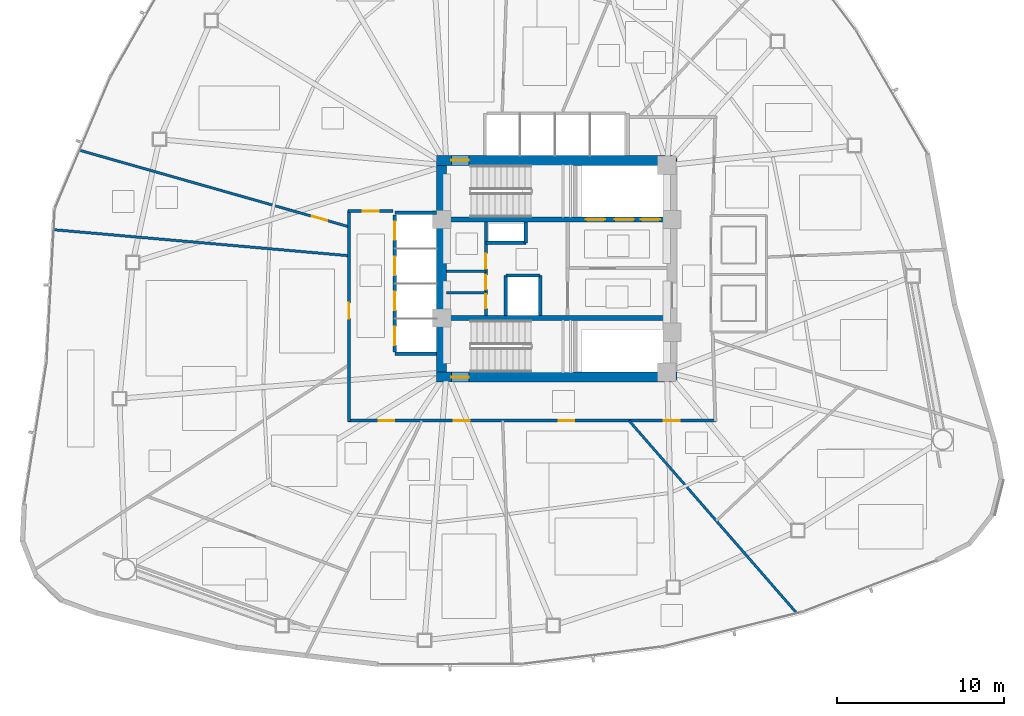
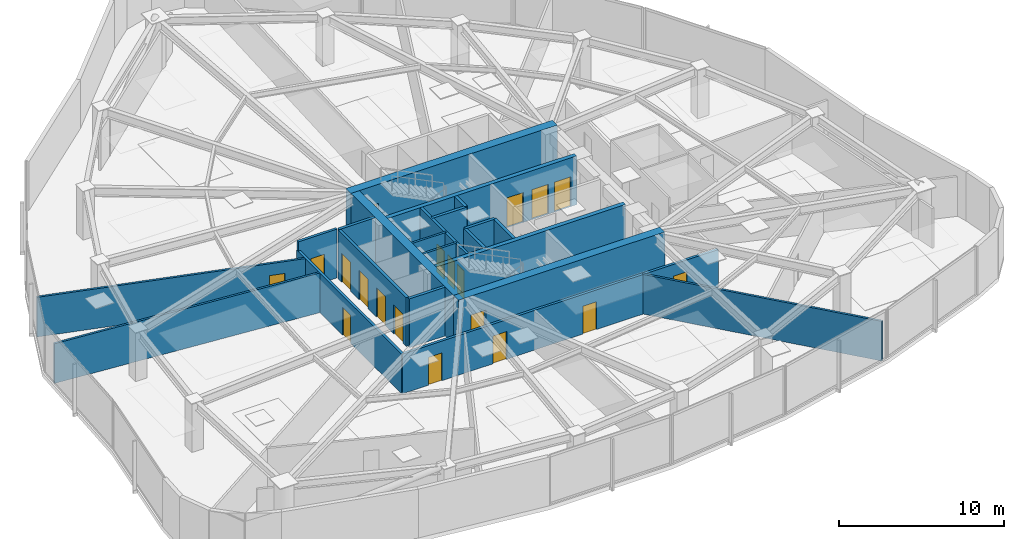
# One storey, part 11 of 17: 22 walls, 19 doors, 19 openings.
"""IFC4 building model written with IfcOpenShell, lengths in metres."""

from ifc_helpers import new_model, si_unit, direction, frame, frame_2d, origin, place, context, subcontext, project, spatial, rectangle, extrude, material, layer, layer_set, type_object, element, fill, save


model = new_model("IFC4")

# Units and contexts
model_context = context("Model", 3, precision=1e-05, world=origin(), true_north=direction((0.0, 1.0)))
body_context = subcontext(model_context, "Body", "Model", "MODEL_VIEW")
ifc_project = project(units=[si_unit("LENGTHUNIT", "METRE"), si_unit("AREAUNIT", "SQUARE_METRE"), si_unit("VOLUMEUNIT", "CUBIC_METRE"), si_unit("PLANEANGLEUNIT", "RADIAN"), si_unit("MASSUNIT", "GRAM", prefix="KILO")], contexts=[model_context])

# Site, building, storey
site_placement = place(None, origin())
site = spatial("IfcSite", under=ifc_project, at=site_placement, CompositionType="ELEMENT")
building_placement = place(site_placement, origin())
building = spatial("IfcBuilding", under=site, at=building_placement, Name="Tavelor Broadcast Tower", CompositionType="ELEMENT")
storey_placement = place(building_placement, frame((0.0, 0.0, 39.300048828125)))
storey = spatial("IfcBuildingStorey", under=building, at=storey_placement, Name="L08", CompositionType="ELEMENT", Elevation=39.300048828125)

# Wall, opening, door
ifc_material_1 = material(Name="Concrete C60/75", Category="concrete")
ifc_layer_1 = layer(ifc_material_1, 0.60009765625)
ifc_layer_set_1 = layer_set([ifc_layer_1], Name="Concrete C60/75")
wall_type_1 = type_object("IfcWallType", Name="Core Shear Wall 600 mm", PredefinedType="SHEAR", material=ifc_layer_set_1)
wall_1_placement = place(storey_placement, frame((42.800048828125, 51.5, 0.0), z_axis=(0.0, 0.0, 1.0), x_axis=(1.0, 0.0, 0.0)))
wall_1 = element("IfcWall", 1, at=wall_1_placement, inside=storey, type_object=wall_type_1, Name="L08 Central Core Shear Wall N", PredefinedType="SHEAR", context=body_context, shape_type="SweptSolid", body=[
    extrude(rectangle(XDim=14.39990234375, YDim=0.60009765625, at=frame_2d((7.199951171875, 0.0))), origin(), (0.0, 0.0, 1.0), 3.599853515625),
])
opening_1_placement = place(wall_1_placement, frame((0.8798828125, 0.0, 0.0)))
opening_1 = element("IfcOpeningElement", 2, at=opening_1_placement, cuts=wall_1, Name="Opening DR11", PredefinedType="OPENING", context=body_context, shape_type="SweptSolid", body=[
    extrude(rectangle(XDim=1.050048828125, YDim=2.199951171875, at=frame_2d((0.52490234375, 1.10009765625))), frame((0.0, 0.31005859375, 0.0), z_axis=(0.0, -1.0, 0.0), x_axis=(1.0, 0.0, 0.0)), (0.0, 0.0, 1.0), 0.6201171875),
])
ifc_material_2 = material(Name="Steel S355", Category="steel")
door_type_1 = type_object("IfcDoorType", Name="Stair Core Fire Escape Door 1050x2200", OperationType="NOTDEFINED", PredefinedType="DOOR", material=ifc_material_2)
door_1_placement = place(opening_1_placement, origin())
door_1 = element("IfcDoor", 3, at=door_1_placement, inside=storey, type_object=door_type_1, Name="L08 Stair ST1 Protected Exit Door", OperationType="SINGLE_SWING_LEFT", OverallHeight=2.199951171875, OverallWidth=1.050048828125, PredefinedType="DOOR", context=body_context, shape_type="SweptSolid", body=[
    extrude(rectangle(XDim=1.050048828125, YDim=2.199951171875, at=frame_2d((0.52490234375, 1.10009765625))), frame((0.0, 0.02490234375, 0.0), z_axis=(0.0, -1.0, 0.0), x_axis=(1.0, 0.0, 0.0)), (0.0, 0.0, 1.0), 0.050048828125),
])
fill(opening_1, door_1)

wall_2_placement = place(storey_placement, frame((42.800048828125, 38.5, 0.0), z_axis=(0.0, 0.0, 1.0), x_axis=(1.0, 0.0, 0.0)))
wall_2 = element("IfcWall", 4, at=wall_2_placement, inside=storey, type_object=wall_type_1, Name="L08 Central Core Shear Wall S", PredefinedType="SHEAR", context=body_context, shape_type="SweptSolid", body=[
    extrude(rectangle(XDim=14.39990234375, YDim=0.60009765625, at=frame_2d((7.199951171875, 0.0))), origin(), (0.0, 0.0, 1.0), 3.599853515625),
])
opening_2_placement = place(wall_2_placement, frame((0.8798828125, 0.0, 0.0)))
opening_2 = element("IfcOpeningElement", 5, at=opening_2_placement, cuts=wall_2, Name="Opening DR11", PredefinedType="OPENING", context=body_context, shape_type="SweptSolid", body=[
    extrude(rectangle(XDim=1.050048828125, YDim=2.199951171875, at=frame_2d((0.52490234375, 1.10009765625))), frame((0.0, 0.31005859375, 0.0), z_axis=(0.0, -1.0, 0.0), x_axis=(1.0, 0.0, 0.0)), (0.0, 0.0, 1.0), 0.6201171875),
])
door_2_placement = place(opening_2_placement, origin())
door_2 = element("IfcDoor", 6, at=door_2_placement, inside=storey, type_object=door_type_1, Name="L08 Stair ST2 Protected Exit Door", OperationType="SINGLE_SWING_RIGHT", OverallHeight=2.199951171875, OverallWidth=1.050048828125, PredefinedType="DOOR", context=body_context, shape_type="SweptSolid", body=[
    extrude(rectangle(XDim=1.050048828125, YDim=2.199951171875, at=frame_2d((0.52490234375, 1.10009765625))), frame((0.0, 0.02490234375, 0.0), z_axis=(0.0, -1.0, 0.0), x_axis=(1.0, 0.0, 0.0)), (0.0, 0.0, 1.0), 0.050048828125),
])
fill(opening_2, door_2)

# Wall
wall_3_placement = place(storey_placement, frame((43.10009765625, 38.800048828125, 0.0), z_axis=(0.0, 0.0, 1.0), x_axis=(0.0, 1.0, 0.0)))
element("IfcWall", 7, at=wall_3_placement, inside=storey, type_object=wall_type_1, Name="L08 Central Core Shear Wall W", PredefinedType="SHEAR", context=body_context, shape_type="SweptSolid", body=[
    extrude(rectangle(XDim=12.39990234375, YDim=0.60009765625, at=frame_2d((6.199951171875, 0.0))), origin(), (0.0, 0.0, 1.0), 3.599853515625),
])

# Wall, openings, doors
ifc_layer_2 = layer(ifc_material_1, 0.300048828125)
ifc_layer_set_2 = layer_set([ifc_layer_2], Name="Concrete C60/75")
wall_type_2 = type_object("IfcWallType", Name="Core Spine Shear Wall 300 mm C60", PredefinedType="SHEAR", material=ifc_layer_set_2)
wall_4_placement = place(storey_placement, frame((43.39990234375, 47.949951171875, 0.0), z_axis=(0.0, 0.0, 1.0), x_axis=(1.0, 0.0, 0.0)))
wall_4 = element("IfcWall", 8, at=wall_4_placement, inside=storey, type_object=wall_type_2, Name="L08 Central Core Shear Wall SP1", PredefinedType="SHEAR", context=body_context, shape_type="SweptSolid", body=[
    extrude(rectangle(XDim=13.2001953125, YDim=0.300048828125, at=frame_2d((6.60009765625, 0.0))), origin(), (0.0, 0.0, 1.0), 3.599853515625),
])
opening_3_placement = place(wall_4_placement, frame((8.344970703125, 0.0, 0.0)))
opening_3 = element("IfcOpeningElement", 9, at=opening_3_placement, cuts=wall_4, Name="Opening LD02", PredefinedType="OPENING", context=body_context, shape_type="SweptSolid", body=[
    extrude(rectangle(XDim=1.14990234375, YDim=2.199951171875, at=frame_2d((0.574951171875, 1.10009765625))), frame((0.0, 0.16015625, 0.0), z_axis=(0.0, -1.0, 0.0), x_axis=(1.0, 0.0, 0.0)), (0.0, 0.0, 1.0), 0.320068359375),
])
opening_4_placement = place(wall_4_placement, frame((10.06494140625, 0.0, 0.0)))
opening_4 = element("IfcOpeningElement", 10, at=opening_4_placement, cuts=wall_4, Name="Opening LD02", PredefinedType="OPENING", context=body_context, shape_type="SweptSolid", body=[
    extrude(rectangle(XDim=1.14990234375, YDim=2.199951171875, at=frame_2d((0.574951171875, 1.10009765625))), frame((0.0, 0.16015625, 0.0), z_axis=(0.0, -1.0, 0.0), x_axis=(1.0, 0.0, 0.0)), (0.0, 0.0, 1.0), 0.320068359375),
])
opening_5_placement = place(wall_4_placement, frame((11.64501953125, 0.0, 0.0)))
opening_5 = element("IfcOpeningElement", 11, at=opening_5_placement, cuts=wall_4, Name="Opening LD03", PredefinedType="OPENING", context=body_context, shape_type="SweptSolid", body=[
    extrude(rectangle(XDim=1.14990234375, YDim=2.199951171875, at=frame_2d((0.574951171875, 1.10009765625))), frame((0.0, 0.16015625, 0.0), z_axis=(0.0, -1.0, 0.0), x_axis=(1.0, 0.0, 0.0)), (0.0, 0.0, 1.0), 0.320068359375),
])
ifc_material_3 = material(Name="Reinforced Brushed Stainless Steel", Category="concrete")
door_type_2 = type_object("IfcDoorType", Name="Broadcast Goods Lift Sliding Landing Door 1250x2200", OperationType="NOTDEFINED", PredefinedType="DOOR", material=ifc_material_3)
door_3_placement = place(opening_5_placement, origin())
door_3 = element("IfcDoor", 12, at=door_3_placement, inside=storey, type_object=door_type_2, Name="L08 Lift SVL1 Sliding Landing Door", OperationType="SLIDING_TO_LEFT", OverallHeight=2.199951171875, OverallWidth=1.14990234375, PredefinedType="DOOR", context=body_context, shape_type="SweptSolid", body=[
    extrude(rectangle(XDim=1.14990234375, YDim=2.199951171875, at=frame_2d((0.574951171875, 1.10009765625))), frame((0.0, 0.02490234375, 0.0), z_axis=(0.0, -1.0, 0.0), x_axis=(1.0, 0.0, 0.0)), (0.0, 0.0, 1.0), 0.050048828125),
])
fill(opening_5, door_3)
ifc_material_4 = material(Name="Fire-Rated Stainless Steel", Category="steel")
door_type_3 = type_object("IfcDoorType", Name="Firefighting Lift Sliding Landing Door 1200x2200", OperationType="NOTDEFINED", PredefinedType="DOOR", material=ifc_material_4)
door_4_placement = place(opening_3_placement, origin())
door_4 = element("IfcDoor", 13, at=door_4_placement, inside=storey, type_object=door_type_3, Name="L08 Lift FFL1 Sliding Landing Door", OperationType="SLIDING_TO_LEFT", OverallHeight=2.199951171875, OverallWidth=1.14990234375, PredefinedType="DOOR", context=body_context, shape_type="SweptSolid", body=[
    extrude(rectangle(XDim=1.14990234375, YDim=2.199951171875, at=frame_2d((0.574951171875, 1.10009765625))), frame((0.0, 0.02490234375, 0.0), z_axis=(0.0, -1.0, 0.0), x_axis=(1.0, 0.0, 0.0)), (0.0, 0.0, 1.0), 0.050048828125),
])
fill(opening_3, door_4)
door_5_placement = place(opening_4_placement, origin())
door_5 = element("IfcDoor", 14, at=door_5_placement, inside=storey, type_object=door_type_3, Name="L08 Lift FFL2 Sliding Landing Door", OperationType="SLIDING_TO_LEFT", OverallHeight=2.199951171875, OverallWidth=1.14990234375, PredefinedType="DOOR", context=body_context, shape_type="SweptSolid", body=[
    extrude(rectangle(XDim=1.14990234375, YDim=2.199951171875, at=frame_2d((0.574951171875, 1.10009765625))), frame((0.0, 0.02490234375, 0.0), z_axis=(0.0, -1.0, 0.0), x_axis=(1.0, 0.0, 0.0)), (0.0, 0.0, 1.0), 0.050048828125),
])
fill(opening_4, door_5)

# Wall
wall_5_placement = place(storey_placement, frame((43.39990234375, 42.050048828125, 0.0), z_axis=(0.0, 0.0, 1.0), x_axis=(1.0, 0.0, 0.0)))
element("IfcWall", 15, at=wall_5_placement, inside=storey, type_object=wall_type_2, Name="L08 Central Core Shear Wall SP2", PredefinedType="SHEAR", context=body_context, shape_type="SweptSolid", body=[
    extrude(rectangle(XDim=13.2001953125, YDim=0.300048828125, at=frame_2d((6.60009765625, 0.0))), origin(), (0.0, 0.0, 1.0), 3.599853515625),
])

# Wall, openings, doors
ifc_material_5 = material(Name="Calcium Silicate Fire Board 180 mm", Category="gypsum")
ifc_layer_3 = layer(ifc_material_5, 0.179931640625)
ifc_layer_set_3 = layer_set([ifc_layer_3], Name="Calcium Silicate Fire Board 180 mm")
wall_type_3 = type_object("IfcWallType", Name="Fire-Rated Corridor Partition Wall 180 mm", PredefinedType="PARTITIONING", material=ifc_layer_set_3)
wall_6_placement = place(storey_placement, frame((45.75, 42.199951171875, 0.0), z_axis=(0.0, 0.0, 1.0), x_axis=(0.0, 1.0, 0.0)))
wall_6 = element("IfcWall", 16, at=wall_6_placement, inside=storey, type_object=wall_type_3, Name="L08 Core West Service East Wall", PredefinedType="PARTITIONING", context=body_context, shape_type="SweptSolid", body=[
    extrude(rectangle(XDim=5.60009765625, YDim=0.179931640625, at=frame_2d((2.800048828125, 0.0))), origin(), (0.0, 0.0, 1.0), 3.599853515625),
])
opening_6_placement = place(wall_6_placement, frame((0.419921875, 0.0, 0.0)))
opening_6 = element("IfcOpeningElement", 17, at=opening_6_placement, cuts=wall_6, Name="Opening DR36", PredefinedType="OPENING", context=body_context, shape_type="SweptSolid", body=[
    extrude(rectangle(XDim=0.85009765625, YDim=2.050048828125, at=frame_2d((0.425048828125, 1.02490234375))), frame((0.0, 0.10009765625, 0.0), z_axis=(0.0, -1.0, 0.0), x_axis=(1.0, 0.0, 0.0)), (0.0, 0.0, 1.0), 0.199951171875),
])
opening_7_placement = place(wall_6_placement, frame((1.570068359375, 0.0, 0.0)))
opening_7 = element("IfcOpeningElement", 18, at=opening_7_placement, cuts=wall_6, Name="Opening DR36", PredefinedType="OPENING", context=body_context, shape_type="SweptSolid", body=[
    extrude(rectangle(XDim=0.85009765625, YDim=2.050048828125, at=frame_2d((0.425048828125, 1.02490234375))), frame((0.0, 0.10009765625, 0.0), z_axis=(0.0, -1.0, 0.0), x_axis=(1.0, 0.0, 0.0)), (0.0, 0.0, 1.0), 0.199951171875),
])
opening_8_placement = place(wall_6_placement, frame((2.800048828125, 0.0, 0.0)))
opening_8 = element("IfcOpeningElement", 19, at=opening_8_placement, cuts=wall_6, Name="Opening DR32", PredefinedType="OPENING", context=body_context, shape_type="SweptSolid", body=[
    extrude(rectangle(XDim=0.89990234375, YDim=2.050048828125, at=frame_2d((0.449951171875, 1.02490234375))), frame((0.0, 0.10009765625, 0.0), z_axis=(0.0, -1.0, 0.0), x_axis=(1.0, 0.0, 0.0)), (0.0, 0.0, 1.0), 0.199951171875),
])
ifc_material_6 = material(Name="Timber Solid Core Hardwood", Category="wood")
door_type_4 = type_object("IfcDoorType", Name="Accessible Washroom Door 900x2050", OperationType="NOTDEFINED", PredefinedType="DOOR", material=ifc_material_6)
door_6_placement = place(opening_8_placement, origin())
door_6 = element("IfcDoor", 20, at=door_6_placement, inside=storey, type_object=door_type_4, Name="L08 Core Accessible WC Door", OperationType="SINGLE_SWING_LEFT", OverallHeight=2.050048828125, OverallWidth=0.89990234375, PredefinedType="DOOR", context=body_context, shape_type="SweptSolid", body=[
    extrude(rectangle(XDim=0.89990234375, YDim=2.050048828125, at=frame_2d((0.449951171875, 1.02490234375))), frame((0.0, 0.02490234375, 0.0), z_axis=(0.0, -1.0, 0.0), x_axis=(1.0, 0.0, 0.0)), (0.0, 0.0, 1.0), 0.050048828125),
])
fill(opening_8, door_6)
door_type_5 = type_object("IfcDoorType", Name="Service Room Fire Door 850x2050", OperationType="NOTDEFINED", PredefinedType="DOOR", material=ifc_material_2)
door_7_placement = place(opening_6_placement, origin())
door_7 = element("IfcDoor", 21, at=door_7_placement, inside=storey, type_object=door_type_5, Name="L08 Core Medical Room Door", OperationType="SINGLE_SWING_LEFT", OverallHeight=2.050048828125, OverallWidth=0.85009765625, PredefinedType="DOOR", context=body_context, shape_type="SweptSolid", body=[
    extrude(rectangle(XDim=0.85009765625, YDim=2.050048828125, at=frame_2d((0.425048828125, 1.02490234375))), frame((0.0, 0.02490234375, 0.0), z_axis=(0.0, -1.0, 0.0), x_axis=(1.0, 0.0, 0.0)), (0.0, 0.0, 1.0), 0.050048828125),
])
fill(opening_6, door_7)
door_8_placement = place(opening_7_placement, origin())
door_8 = element("IfcDoor", 22, at=door_8_placement, inside=storey, type_object=door_type_5, Name="L08 Core Copy Room Door", OperationType="SINGLE_SWING_RIGHT", OverallHeight=2.050048828125, OverallWidth=0.85009765625, PredefinedType="DOOR", context=body_context, shape_type="SweptSolid", body=[
    extrude(rectangle(XDim=0.85009765625, YDim=2.050048828125, at=frame_2d((0.425048828125, 1.02490234375))), frame((0.0, 0.02490234375, 0.0), z_axis=(0.0, -1.0, 0.0), x_axis=(1.0, 0.0, 0.0)), (0.0, 0.0, 1.0), 0.050048828125),
])
fill(opening_7, door_8)

wall_7_placement = place(storey_placement, frame((59.550048828125, 35.89990234375, 0.0), z_axis=(0.0, 0.0, 1.0), x_axis=(-1.0, 0.0, 0.0)))
wall_7 = element("IfcWall", 23, at=wall_7_placement, inside=storey, type_object=wall_type_3, Name="L08 Corridor Compartment Wall 04", PredefinedType="PARTITIONING", context=body_context, shape_type="SweptSolid", body=[
    extrude(rectangle(XDim=22.050048828125, YDim=0.179931640625, at=frame_2d((11.02490234375, 0.0))), origin(), (0.0, 0.0, 1.0), 2.925048828125),
])
opening_9_placement = place(wall_7_placement, frame((2.193115234375, 0.0, 0.0)))
opening_9 = element("IfcOpeningElement", 24, at=opening_9_placement, cuts=wall_7, Name="Opening DR18", PredefinedType="OPENING", context=body_context, shape_type="SweptSolid", body=[
    extrude(rectangle(XDim=0.949951171875, YDim=2.050048828125, at=frame_2d((0.47509765625, 1.02490234375))), frame((0.0, 0.10009765625, 0.0), z_axis=(0.0, -1.0, 0.0), x_axis=(1.0, 0.0, 0.0)), (0.0, 0.0, 1.0), 0.199951171875),
])
opening_10_placement = place(wall_7_placement, frame((8.489501953125, 0.0, 0.0)))
opening_10 = element("IfcOpeningElement", 25, at=opening_10_placement, cuts=wall_7, Name="Opening DR18", PredefinedType="OPENING", context=body_context, shape_type="SweptSolid", body=[
    extrude(rectangle(XDim=0.949951171875, YDim=2.050048828125, at=frame_2d((0.47509765625, 1.02490234375))), frame((0.0, 0.10009765625, 0.0), z_axis=(0.0, -1.0, 0.0), x_axis=(1.0, 0.0, 0.0)), (0.0, 0.0, 1.0), 0.199951171875),
])
opening_11_placement = place(wall_7_placement, frame((14.759765625, 0.0, 0.0)))
opening_11 = element("IfcOpeningElement", 26, at=opening_11_placement, cuts=wall_7, Name="Opening DR18", PredefinedType="OPENING", context=body_context, shape_type="SweptSolid", body=[
    extrude(rectangle(XDim=0.949951171875, YDim=2.050048828125, at=frame_2d((0.47509765625, 1.02490234375))), frame((0.0, 0.10009765625, 0.0), z_axis=(0.0, -1.0, 0.0), x_axis=(1.0, 0.0, 0.0)), (0.0, 0.0, 1.0), 0.199951171875),
])
opening_12_placement = place(wall_7_placement, frame((19.280517578125, 0.0, 0.0)))
opening_12 = element("IfcOpeningElement", 27, at=opening_12_placement, cuts=wall_7, Name="Opening DR18", PredefinedType="OPENING", context=body_context, shape_type="SweptSolid", body=[
    extrude(rectangle(XDim=0.949951171875, YDim=2.050048828125, at=frame_2d((0.47509765625, 1.02490234375))), frame((0.0, 0.10009765625, 0.0), z_axis=(0.0, -1.0, 0.0), x_axis=(1.0, 0.0, 0.0)), (0.0, 0.0, 1.0), 0.199951171875),
])
door_type_6 = type_object("IfcDoorType", Name="Corridor Rated Compartment Door 950x2050", OperationType="NOTDEFINED", PredefinedType="DOOR", material=ifc_material_6)
door_9_placement = place(opening_9_placement, origin())
door_9 = element("IfcDoor", 28, at=door_9_placement, inside=storey, type_object=door_type_6, Name="L08 Press Concierge Desk Door R11", OperationType="SINGLE_SWING_RIGHT", OverallHeight=2.050048828125, OverallWidth=0.949951171875, PredefinedType="DOOR", context=body_context, shape_type="SweptSolid", body=[
    extrude(rectangle(XDim=0.949951171875, YDim=2.050048828125, at=frame_2d((0.47509765625, 1.02490234375))), frame((0.0, 0.02490234375, 0.0), z_axis=(0.0, -1.0, 0.0), x_axis=(1.0, 0.0, 0.0)), (0.0, 0.0, 1.0), 0.050048828125),
])
fill(opening_9, door_9)
door_10_placement = place(opening_10_placement, origin())
door_10 = element("IfcDoor", 29, at=door_10_placement, inside=storey, type_object=door_type_6, Name="L08 Press Interview Room Door R0", OperationType="SINGLE_SWING_LEFT", OverallHeight=2.050048828125, OverallWidth=0.949951171875, PredefinedType="DOOR", context=body_context, shape_type="SweptSolid", body=[
    extrude(rectangle(XDim=0.949951171875, YDim=2.050048828125, at=frame_2d((0.47509765625, 1.02490234375))), frame((0.0, 0.02490234375, 0.0), z_axis=(0.0, -1.0, 0.0), x_axis=(1.0, 0.0, 0.0)), (0.0, 0.0, 1.0), 0.050048828125),
])
fill(opening_10, door_10)
door_11_placement = place(opening_11_placement, origin())
door_11 = element("IfcDoor", 30, at=door_11_placement, inside=storey, type_object=door_type_6, Name="L08 Standards Huddle Room Door R1", OperationType="SINGLE_SWING_RIGHT", OverallHeight=2.050048828125, OverallWidth=0.949951171875, PredefinedType="DOOR", context=body_context, shape_type="SweptSolid", body=[
    extrude(rectangle(XDim=0.949951171875, YDim=2.050048828125, at=frame_2d((0.47509765625, 1.02490234375))), frame((0.0, 0.02490234375, 0.0), z_axis=(0.0, -1.0, 0.0), x_axis=(1.0, 0.0, 0.0)), (0.0, 0.0, 1.0), 0.050048828125),
])
fill(opening_11, door_11)
door_12_placement = place(opening_12_placement, origin())
door_12 = element("IfcDoor", 31, at=door_12_placement, inside=storey, type_object=door_type_6, Name="L08 Quiet Listening Room Door R12", OperationType="SINGLE_SWING_LEFT", OverallHeight=2.050048828125, OverallWidth=0.949951171875, PredefinedType="DOOR", context=body_context, shape_type="SweptSolid", body=[
    extrude(rectangle(XDim=0.949951171875, YDim=2.050048828125, at=frame_2d((0.47509765625, 1.02490234375))), frame((0.0, 0.02490234375, 0.0), z_axis=(0.0, -1.0, 0.0), x_axis=(1.0, 0.0, 0.0)), (0.0, 0.0, 1.0), 0.050048828125),
])
fill(opening_12, door_12)

# Wall, opening, door
wall_8_placement = place(storey_placement, frame((37.550048828125, 35.85009765625, 0.0), z_axis=(0.0, 0.0, 1.0), x_axis=(0.0, 1.0, 0.0)))
wall_8 = element("IfcWall", 32, at=wall_8_placement, inside=storey, type_object=wall_type_3, Name="L08 Corridor Compartment Wall 05", PredefinedType="PARTITIONING", context=body_context, shape_type="SweptSolid", body=[
    extrude(rectangle(XDim=12.64990234375, YDim=0.179931640625, at=frame_2d((6.324951171875, 0.0))), origin(), (0.0, 0.0, 1.0), 2.925048828125),
])
opening_13_placement = place(wall_8_placement, frame((6.1591796875, 0.0, 0.0)))
opening_13 = element("IfcOpeningElement", 33, at=opening_13_placement, cuts=wall_8, Name="Opening DR18", PredefinedType="OPENING", context=body_context, shape_type="SweptSolid", body=[
    extrude(rectangle(XDim=0.949951171875, YDim=2.050048828125, at=frame_2d((0.47509765625, 1.02490234375))), frame((0.0, 0.10009765625, 0.0), z_axis=(0.0, -1.0, 0.0), x_axis=(1.0, 0.0, 0.0)), (0.0, 0.0, 1.0), 0.199951171875),
])
door_13_placement = place(opening_13_placement, origin())
door_13 = element("IfcDoor", 34, at=door_13_placement, inside=storey, type_object=door_type_6, Name="L08 Newsroom Huddle Room Door R3", OperationType="SINGLE_SWING_RIGHT", OverallHeight=2.050048828125, OverallWidth=0.949951171875, PredefinedType="DOOR", context=body_context, shape_type="SweptSolid", body=[
    extrude(rectangle(XDim=0.949951171875, YDim=2.050048828125, at=frame_2d((0.47509765625, 1.02490234375))), frame((0.0, 0.02490234375, 0.0), z_axis=(0.0, -1.0, 0.0), x_axis=(1.0, 0.0, 0.0)), (0.0, 0.0, 1.0), 0.050048828125),
])
fill(opening_13, door_13)

wall_9_placement = place(storey_placement, frame((37.5, 48.449951171875, 0.0), z_axis=(0.0, 0.0, 1.0), x_axis=(1.0, 0.0, 0.0)))
wall_9 = element("IfcWall", 35, at=wall_9_placement, inside=storey, type_object=wall_type_3, Name="L08 Corridor Compartment Wall 06", PredefinedType="PARTITIONING", context=body_context, shape_type="SweptSolid", body=[
    extrude(rectangle(XDim=2.699951171875, YDim=0.179931640625, at=frame_2d((1.35009765625, 0.0))), origin(), (0.0, 0.0, 1.0), 3.599853515625),
])
opening_14_placement = place(wall_9_placement, frame((0.875, 0.0, 0.0)))
opening_14 = element("IfcOpeningElement", 36, at=opening_14_placement, cuts=wall_9, Name="Opening DR18", PredefinedType="OPENING", context=body_context, shape_type="SweptSolid", body=[
    extrude(rectangle(XDim=0.949951171875, YDim=2.050048828125, at=frame_2d((0.47509765625, 1.02490234375))), frame((0.0, 0.10009765625, 0.0), z_axis=(0.0, -1.0, 0.0), x_axis=(1.0, 0.0, 0.0)), (0.0, 0.0, 1.0), 0.199951171875),
])
door_14_placement = place(opening_14_placement, origin())
door_14 = element("IfcDoor", 37, at=door_14_placement, inside=storey, type_object=door_type_6, Name="L08 Editorial Huddle Room Door R5", OperationType="SINGLE_SWING_LEFT", OverallHeight=2.050048828125, OverallWidth=0.949951171875, PredefinedType="DOOR", context=body_context, shape_type="SweptSolid", body=[
    extrude(rectangle(XDim=0.949951171875, YDim=2.050048828125, at=frame_2d((0.47509765625, 1.02490234375))), frame((0.0, 0.02490234375, 0.0), z_axis=(0.0, -1.0, 0.0), x_axis=(1.0, 0.0, 0.0)), (0.0, 0.0, 1.0), 0.050048828125),
])
fill(opening_14, door_14)

# Walls
ifc_material_7 = material(Name="Gypsum Acoustic Plasterboard 150 mm", Category="gypsum")
ifc_layer_4 = layer(ifc_material_7, 0.14990234375)
ifc_layer_set_4 = layer_set([ifc_layer_4], Name="Gypsum Acoustic Plasterboard 150 mm")
wall_type_4 = type_object("IfcWallType", Name="Interior Acoustic Partition Wall 150 mm", PredefinedType="PARTITIONING", material=ifc_layer_set_4)
for number, where, z_axis, x_axis, name in (
    (38, (43.39990234375, 43.550048828125, 0.0), (0.0, 0.0, 1.0), (1.0, 0.0, 0.0), "L08 Core Split Wall B1"),
    (39, (43.39990234375, 44.85009765625, 0.0), (0.0, 0.0, 1.0), (1.0, 0.0, 0.0), "L08 Core Split Wall B2"),
):
    element("IfcWall", number, at=place(storey_placement, frame(where, z_axis=z_axis, x_axis=x_axis)), inside=storey, type_object=wall_type_4, Name=name, PredefinedType="PARTITIONING", context=body_context, shape_type="SweptSolid", body=[
        extrude(rectangle(XDim=2.35009765625, YDim=0.14990234375, at=frame_2d((1.175048828125, 0.0))), origin(), (0.0, 0.0, 1.0), 3.599853515625),
    ])

# Wall, opening, door
wall_10_placement = place(storey_placement, frame((37.550048828125, 47.514404296875, 0.0), z_axis=(0.0, 0.0, 1.0), x_axis=(-0.96193153625, 0.273290540574, 0.0)))
wall_10 = element("IfcWall", 40, at=wall_10_placement, inside=storey, type_object=wall_type_4, Name="L08 Radial Compartment Wall 04", PredefinedType="PARTITIONING", context=body_context, shape_type="SweptSolid", body=[
    extrude(rectangle(XDim=16.795654296875, YDim=0.14990234375, at=frame_2d((8.39794921875, 0.0))), origin(), (0.0, 0.0, 1.0), 2.925048828125),
])
opening_15_placement = place(wall_10_placement, frame((1.35009765625, 0.0, 0.0)))
opening_15 = element("IfcOpeningElement", 41, at=opening_15_placement, cuts=wall_10, Name="Opening DR18", PredefinedType="OPENING", context=body_context, shape_type="SweptSolid", body=[
    extrude(rectangle(XDim=0.949951171875, YDim=2.050048828125, at=frame_2d((0.47509765625, 1.02490234375))), frame((0.0, 0.0849609375, 0.0), z_axis=(0.0, -1.0, 0.0), x_axis=(1.0, 0.0, 0.0)), (0.0, 0.0, 1.0), 0.169921875),
])
door_15_placement = place(opening_15_placement, origin())
door_15 = element("IfcDoor", 42, at=door_15_placement, inside=storey, type_object=door_type_6, Name="L08 Suite Connecting Door 4", OperationType="SINGLE_SWING_LEFT", OverallHeight=2.050048828125, OverallWidth=0.949951171875, PredefinedType="DOOR", context=body_context, shape_type="SweptSolid", body=[
    extrude(rectangle(XDim=0.949951171875, YDim=2.050048828125, at=frame_2d((0.47509765625, 1.02490234375))), frame((0.0, 0.02490234375, 0.0), z_axis=(0.0, -1.0, 0.0), x_axis=(1.0, 0.0, 0.0)), (0.0, 0.0, 1.0), 0.050048828125),
])
fill(opening_15, door_15)

# Walls
wall_11_placement = place(storey_placement, frame((37.550048828125, 45.7802734375, 0.0), z_axis=(0.0, 0.0, 1.0), x_axis=(-0.99613586072, 0.087825662467, 0.0)))
element("IfcWall", 43, at=wall_11_placement, inside=storey, type_object=wall_type_4, Name="L08 Radial Compartment Wall 05", PredefinedType="PARTITIONING", context=body_context, shape_type="SweptSolid", body=[
    extrude(rectangle(XDim=17.774169921875, YDim=0.14990234375, at=frame_2d((8.88720703125, 0.0))), origin(), (0.0, 0.0, 1.0), 2.925048828125),
])
wall_12_placement = place(storey_placement, frame((54.327392578125, 35.89990234375, 0.0), z_axis=(0.0, 0.0, 1.0), x_axis=(0.65685208305, -0.75401945664, 0.0)))
element("IfcWall", 44, at=wall_12_placement, inside=storey, type_object=wall_type_4, Name="L08 Radial Compartment Wall 09", PredefinedType="PARTITIONING", context=body_context, shape_type="SweptSolid", body=[
    extrude(rectangle(XDim=15.316650390625, YDim=0.14990234375, at=frame_2d((7.658203125, 0.0))), origin(), (0.0, 0.0, 1.0), 2.925048828125),
])

# Wall, openings, doors
ifc_material_8 = material(Name="Concrete Blockwork 200 mm", Category="masonry")
ifc_layer_5 = layer(ifc_material_8, 0.199951171875)
ifc_layer_set_5 = layer_set([ifc_layer_5], Name="Concrete Blockwork 200 mm")
wall_type_5 = type_object("IfcWallType", Name="Lift Hoistway Rated Front Wall 200 mm", PredefinedType="PARTITIONING", material=ifc_layer_set_5)
wall_13_placement = place(storey_placement, frame((40.300048828125, 40.02001953125, 0.0), z_axis=(0.0, 0.0, 1.0), x_axis=(0.0, 1.0, 0.0)))
wall_13 = element("IfcWall", 45, at=wall_13_placement, inside=storey, type_object=wall_type_5, Name="L08 Low-Rise Lift Hoistway Front Wall", PredefinedType="PARTITIONING", context=body_context, shape_type="SweptSolid", body=[
    extrude(rectangle(XDim=8.2099609375, YDim=0.199951171875, at=frame_2d((4.10498046875, 0.0))), origin(), (0.0, 0.0, 1.0), 3.599853515625),
])
opening_16_placement = place(wall_13_placement, frame((0.405029296875, 0.0, 0.0)))
opening_16 = element("IfcOpeningElement", 46, at=opening_16_placement, cuts=wall_13, Name="Opening LD01", PredefinedType="OPENING", context=body_context, shape_type="SweptSolid", body=[
    extrude(rectangle(XDim=1.10009765625, YDim=2.14990234375, at=frame_2d((0.550048828125, 1.074951171875))), frame((0.0, 0.10986328125, 0.0), z_axis=(0.0, -1.0, 0.0), x_axis=(1.0, 0.0, 0.0)), (0.0, 0.0, 1.0), 0.219970703125),
])
opening_17_placement = place(wall_13_placement, frame((2.5048828125, 0.0, 0.0)))
opening_17 = element("IfcOpeningElement", 47, at=opening_17_placement, cuts=wall_13, Name="Opening LD01", PredefinedType="OPENING", context=body_context, shape_type="SweptSolid", body=[
    extrude(rectangle(XDim=1.10009765625, YDim=2.14990234375, at=frame_2d((0.550048828125, 1.074951171875))), frame((0.0, 0.10986328125, 0.0), z_axis=(0.0, -1.0, 0.0), x_axis=(1.0, 0.0, 0.0)), (0.0, 0.0, 1.0), 0.219970703125),
])
opening_18_placement = place(wall_13_placement, frame((4.60498046875, 0.0, 0.0)))
opening_18 = element("IfcOpeningElement", 48, at=opening_18_placement, cuts=wall_13, Name="Opening LD01", PredefinedType="OPENING", context=body_context, shape_type="SweptSolid", body=[
    extrude(rectangle(XDim=1.10009765625, YDim=2.14990234375, at=frame_2d((0.550048828125, 1.074951171875))), frame((0.0, 0.10986328125, 0.0), z_axis=(0.0, -1.0, 0.0), x_axis=(1.0, 0.0, 0.0)), (0.0, 0.0, 1.0), 0.219970703125),
])
opening_19_placement = place(wall_13_placement, frame((6.705078125, 0.0, 0.0)))
opening_19 = element("IfcOpeningElement", 49, at=opening_19_placement, cuts=wall_13, Name="Opening LD01", PredefinedType="OPENING", context=body_context, shape_type="SweptSolid", body=[
    extrude(rectangle(XDim=1.10009765625, YDim=2.14990234375, at=frame_2d((0.550048828125, 1.074951171875))), frame((0.0, 0.10986328125, 0.0), z_axis=(0.0, -1.0, 0.0), x_axis=(1.0, 0.0, 0.0)), (0.0, 0.0, 1.0), 0.219970703125),
])
ifc_material_9 = material(Name="Brushed Stainless Steel", Category="steel")
door_type_7 = type_object("IfcDoorType", Name="Passenger Lift Sliding Landing Door 1100x2150", OperationType="NOTDEFINED", PredefinedType="DOOR", material=ifc_material_9)
door_16_placement = place(opening_16_placement, origin())
door_16 = element("IfcDoor", 50, at=door_16_placement, inside=storey, type_object=door_type_7, Name="L08 Lift PLL1 Sliding Landing Door", OperationType="SLIDING_TO_LEFT", OverallHeight=2.14990234375, OverallWidth=1.10009765625, PredefinedType="DOOR", context=body_context, shape_type="SweptSolid", body=[
    extrude(rectangle(XDim=1.10009765625, YDim=2.14990234375, at=frame_2d((0.550048828125, 1.074951171875))), frame((0.0, 0.02490234375, 0.0), z_axis=(0.0, -1.0, 0.0), x_axis=(1.0, 0.0, 0.0)), (0.0, 0.0, 1.0), 0.050048828125),
])
fill(opening_16, door_16)
door_17_placement = place(opening_17_placement, origin())
door_17 = element("IfcDoor", 51, at=door_17_placement, inside=storey, type_object=door_type_7, Name="L08 Lift PLL2 Sliding Landing Door", OperationType="SLIDING_TO_RIGHT", OverallHeight=2.14990234375, OverallWidth=1.10009765625, PredefinedType="DOOR", context=body_context, shape_type="SweptSolid", body=[
    extrude(rectangle(XDim=1.10009765625, YDim=2.14990234375, at=frame_2d((0.550048828125, 1.074951171875))), frame((0.0, 0.02490234375, 0.0), z_axis=(0.0, -1.0, 0.0), x_axis=(1.0, 0.0, 0.0)), (0.0, 0.0, 1.0), 0.050048828125),
])
fill(opening_17, door_17)
door_18_placement = place(opening_18_placement, origin())
door_18 = element("IfcDoor", 52, at=door_18_placement, inside=storey, type_object=door_type_7, Name="L08 Lift PLL3 Sliding Landing Door", OperationType="SLIDING_TO_LEFT", OverallHeight=2.14990234375, OverallWidth=1.10009765625, PredefinedType="DOOR", context=body_context, shape_type="SweptSolid", body=[
    extrude(rectangle(XDim=1.10009765625, YDim=2.14990234375, at=frame_2d((0.550048828125, 1.074951171875))), frame((0.0, 0.02490234375, 0.0), z_axis=(0.0, -1.0, 0.0), x_axis=(1.0, 0.0, 0.0)), (0.0, 0.0, 1.0), 0.050048828125),
])
fill(opening_18, door_18)
door_19_placement = place(opening_19_placement, origin())
door_19 = element("IfcDoor", 53, at=door_19_placement, inside=storey, type_object=door_type_7, Name="L08 Lift PLL4 Sliding Landing Door", OperationType="SLIDING_TO_RIGHT", OverallHeight=2.14990234375, OverallWidth=1.10009765625, PredefinedType="DOOR", context=body_context, shape_type="SweptSolid", body=[
    extrude(rectangle(XDim=1.10009765625, YDim=2.14990234375, at=frame_2d((0.550048828125, 1.074951171875))), frame((0.0, 0.02490234375, 0.0), z_axis=(0.0, -1.0, 0.0), x_axis=(1.0, 0.0, 0.0)), (0.0, 0.0, 1.0), 0.050048828125),
])
fill(opening_19, door_19)

# Walls
wall_14_placement = place(storey_placement, frame((49.0, 42.199951171875, 0.0), z_axis=(0.0, 0.0, 1.0), x_axis=(0.0, 1.0, 0.0)))
element("IfcWall", 54, at=wall_14_placement, inside=storey, type_object=wall_type_5, Name="L08 Mid-Rise Lift PLM4 Hoistway Front Wall", PredefinedType="PARTITIONING", context=body_context, shape_type="SweptSolid", body=[
    extrude(rectangle(XDim=2.400146484375, YDim=0.199951171875, at=frame_2d((1.2001953125, 0.0))), origin(), (0.0, 0.0, 1.0), 3.599853515625),
])
ifc_layer_6 = layer(ifc_material_8, 0.199951171875)
ifc_layer_set_6 = layer_set([ifc_layer_6], Name="Concrete Blockwork 200 mm")
wall_type_6 = type_object("IfcWallType", Name="Lift and Riser Shaft Enclosure Wall 200 mm", PredefinedType="PARTITIONING", material=ifc_layer_set_6)
for number, where, z_axis, x_axis, name in (
    (55, (40.300048828125, 39.89990234375, 0.0), (0.0, 0.0, 1.0), (1.0, 0.0, 0.0), "L08 Low-Rise Lift Shaft South Wall"),
    (56, (40.300048828125, 48.35009765625, 0.0), (0.0, 0.0, 1.0), (1.0, 0.0, 0.0), "L08 Low-Rise Lift Shaft North Wall"),
):
    element("IfcWall", number, at=place(storey_placement, frame(where, z_axis=z_axis, x_axis=x_axis)), inside=storey, type_object=wall_type_6, Name=name, PredefinedType="PARTITIONING", context=body_context, shape_type="SweptSolid", body=[
        extrude(rectangle(XDim=2.5, YDim=0.199951171875, at=frame_2d((1.25, 0.0))), origin(), (0.0, 0.0, 1.0), 3.599853515625),
    ])
wall_15_placement = place(storey_placement, frame((45.75, 46.550048828125, 0.0), z_axis=(0.0, 0.0, 1.0), x_axis=(1.0, 0.0, 0.0)))
element("IfcWall", 57, at=wall_15_placement, inside=storey, type_object=wall_type_6, Name="L08 Riser Shaft South Wall", PredefinedType="PARTITIONING", context=body_context, shape_type="SweptSolid", body=[
    extrude(rectangle(XDim=2.39990234375, YDim=0.199951171875, at=frame_2d((1.199951171875, 0.0))), origin(), (0.0, 0.0, 1.0), 3.599853515625),
])
wall_16_placement = place(storey_placement, frame((48.14990234375, 46.550048828125, 0.0), z_axis=(0.0, 0.0, 1.0), x_axis=(0.0, 1.0, 0.0)))
element("IfcWall", 58, at=wall_16_placement, inside=storey, type_object=wall_type_6, Name="L08 Riser Shaft East Wall", PredefinedType="PARTITIONING", context=body_context, shape_type="SweptSolid", body=[
    extrude(rectangle(XDim=1.25, YDim=0.199951171875, at=frame_2d((0.625, 0.0))), origin(), (0.0, 0.0, 1.0), 3.599853515625),
])
wall_17_placement = place(storey_placement, frame((46.949951171875, 42.199951171875, 0.0), z_axis=(0.0, 0.0, 1.0), x_axis=(0.0, 1.0, 0.0)))
element("IfcWall", 59, at=wall_17_placement, inside=storey, type_object=wall_type_6, Name="L08 Mid-Rise Lift PLM4 West Wall", PredefinedType="PARTITIONING", context=body_context, shape_type="SweptSolid", body=[
    extrude(rectangle(XDim=2.400146484375, YDim=0.199951171875, at=frame_2d((1.2001953125, 0.0))), origin(), (0.0, 0.0, 1.0), 3.599853515625),
])
wall_18_placement = place(storey_placement, frame((46.949951171875, 44.60009765625, 0.0), z_axis=(0.0, 0.0, 1.0), x_axis=(1.0, 0.0, 0.0)))
element("IfcWall", 60, at=wall_18_placement, inside=storey, type_object=wall_type_6, Name="L08 Mid-Rise Lift PLM4 North Wall", PredefinedType="PARTITIONING", context=body_context, shape_type="SweptSolid", body=[
    extrude(rectangle(XDim=2.050048828125, YDim=0.199951171875, at=frame_2d((1.02490234375, 0.0))), origin(), (0.0, 0.0, 1.0), 3.599853515625),
])

save(model, "model.ifc")
